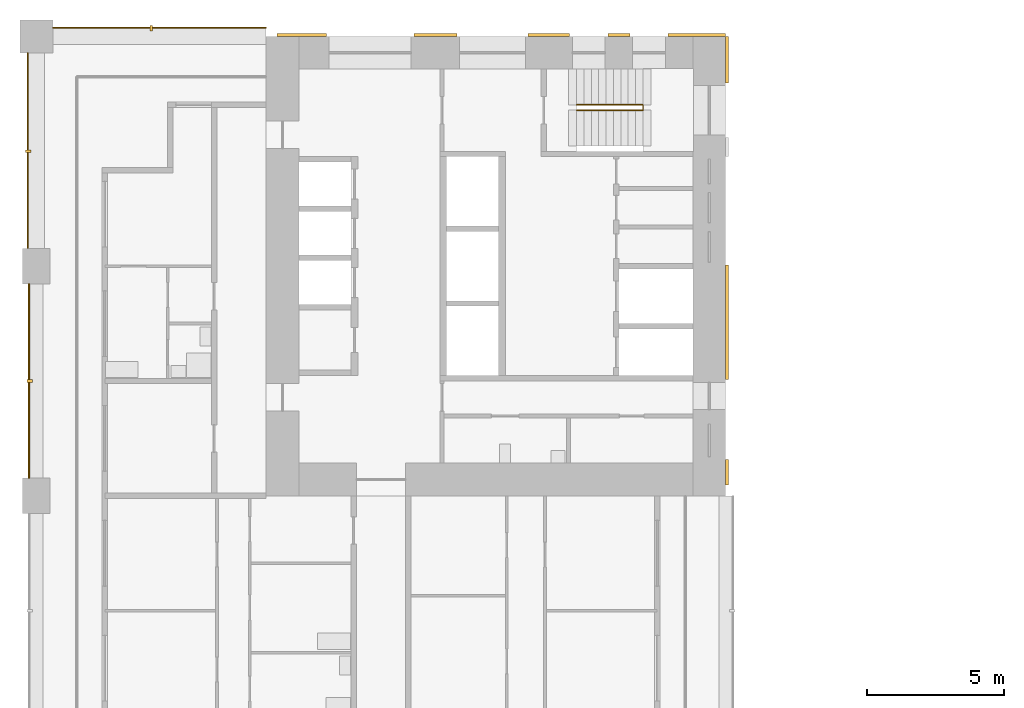
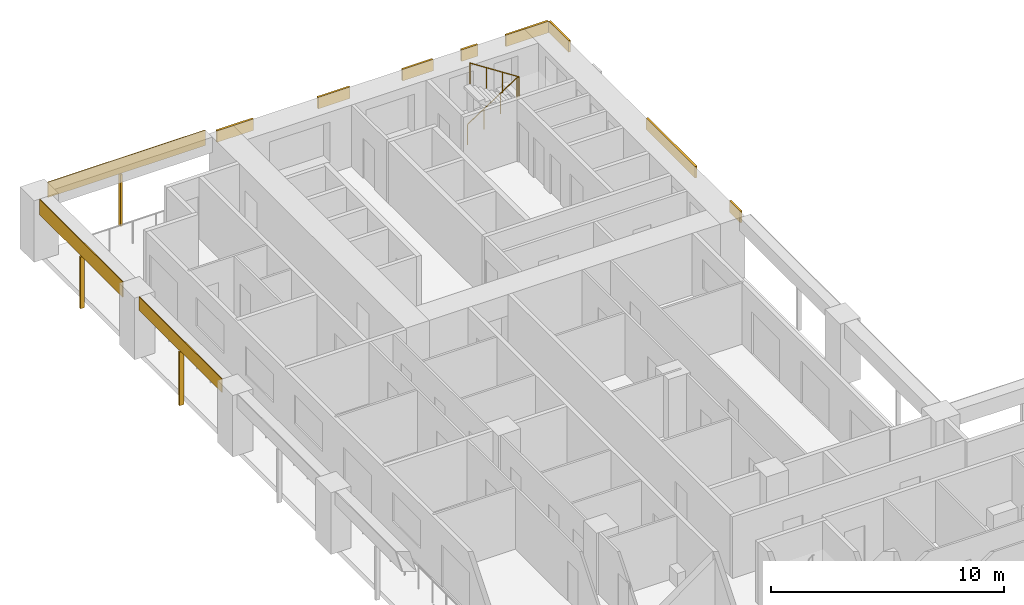
# One storey, part 14 of 17: 14 shading devices, 1 railing.
"""IFC4 building model written with IfcOpenShell, lengths in metres."""

import ifcopenshell
import ifcopenshell.guid

model = None  # the IFC model being written
_history = None  # IfcOwnerHistory: only IFC2X3 demands one
_inside = {}  # id of a spatial element -> (the spatial element, [elements in it])
_under = {}  # id of a project, library or spatial element -> (it, [spatial elements below it])
_declared = {}  # id of a project -> (the project, [libraries it declares])
_typed = {}  # id of a type object -> (the type object, [elements of that type])
_made_of = {}  # id of a material, layer set ... -> (it, [elements and type objects made of it])


def new_model(schema):
    """Start an empty IFC model of exactly this schema.

    Asked for "IFC4X3", IfcOpenShell would pick the latest addendum, in which some entities
    have other attributes; the version numbers below select the first issue.
    IFC2X3 requires an IfcOwnerHistory on every rooted entity: one is made here for all.
    """
    global model, _history
    if schema == "IFC4X3":
        model = ifcopenshell.file(schema_version=(4, 3, 0, 0))
    else:
        model = ifcopenshell.file(schema=schema)
    _inside.clear()
    _under.clear()
    _declared.clear()
    _typed.clear()
    _made_of.clear()
    _history = None
    if model.schema == "IFC2X3":
        org = make("IfcOrganization", Name="unknown")
        user = make(
            "IfcPersonAndOrganization",
            ThePerson=make("IfcPerson", FamilyName="unknown"),
            TheOrganization=org,
        )
        app = make(
            "IfcApplication",
            ApplicationDeveloper=org,
            Version="unknown",
            ApplicationFullName="unknown",
            ApplicationIdentifier="unknown",
        )
        _history = make(
            "IfcOwnerHistory",
            OwningUser=user,
            OwningApplication=app,
            ChangeAction="ADDED",
            CreationDate=0,
        )
    return model


def make(cls, **values):
    """One entity of the class cls with the attributes given. An attribute that is None is left unset."""
    return model.create_entity(
        cls, **{name: value for name, value in values.items() if value is not None}
    )


def rooted(cls, **values):
    """An entity with a GlobalId (a new one), such as an element, a storey or a relation."""
    return make(cls, GlobalId=ifcopenshell.guid.new(), OwnerHistory=_history, **values)


def si_unit(unit_type, name, prefix=None):
    """IfcSIUnit, for example si_unit("LENGTHUNIT", "METRE", prefix="MILLI")."""
    return make("IfcSIUnit", UnitType=unit_type, Prefix=prefix, Name=name)


def assignment(units):
    """IfcUnitAssignment: the units of a project."""
    return None if units is None else make("IfcUnitAssignment", Units=units)


def point(xyz):
    """IfcCartesianPoint."""
    return None if xyz is None else make("IfcCartesianPoint", Coordinates=xyz)


def direction(xyz):
    """IfcDirection."""
    return None if xyz is None else make("IfcDirection", DirectionRatios=xyz)


def frame(location, z_axis=None, x_axis=None):
    """IfcAxis2Placement3D, a coordinate frame: its origin and axes. An axis left out is left unset."""
    return make(
        "IfcAxis2Placement3D",
        Location=point(location),
        Axis=direction(z_axis),
        RefDirection=direction(x_axis),
    )


def frame_2d(location, x_axis=None):
    """IfcAxis2Placement2D, a coordinate frame in the plane: its origin and x axis."""
    return make(
        "IfcAxis2Placement2D", Location=point(location), RefDirection=direction(x_axis)
    )


def origin():
    """The frame at (0, 0, 0) with its axes left unset."""
    return frame((0.0, 0.0, 0.0))


def origin_2d():
    """The frame at (0, 0) in the plane with its x axis left unset."""
    return frame_2d((0.0, 0.0))


def place(relative_to, where):
    """IfcLocalPlacement: puts the frame where relative to a parent placement (None: the world)."""
    return make(
        "IfcLocalPlacement", PlacementRelTo=relative_to, RelativePlacement=where
    )


def context(
    kind, dimensions, precision=None, world=None, true_north=None, identifier=None
):
    """IfcGeometricRepresentationContext, for example the 3D "Model" context."""
    return make(
        "IfcGeometricRepresentationContext",
        ContextIdentifier=identifier,
        ContextType=kind,
        CoordinateSpaceDimension=dimensions,
        Precision=precision,
        WorldCoordinateSystem=world,
        TrueNorth=true_north,
    )


def subcontext(parent, identifier, kind, view, scale=None):
    """IfcGeometricRepresentationSubContext, for example "Body" below "Model"."""
    return make(
        "IfcGeometricRepresentationSubContext",
        ContextIdentifier=identifier,
        ContextType=kind,
        ParentContext=parent,
        TargetScale=scale,
        TargetView=view,
    )


def project(units=None, contexts=None):
    """IfcProject with its units and contexts."""
    return rooted(
        "IfcProject",
        Name="project",
        RepresentationContexts=contexts,
        UnitsInContext=assignment(units),
    )


def spatial(cls, under=None, at=None, **own):
    """A site, building, storey or space (cls), placed at a placement, below another one or the project."""
    s = rooted(cls, ObjectPlacement=at, **own)
    if under is not None:
        _under.setdefault(under.id(), (under, []))[1].append(s)
    return s


def profile(cls, at=None, kind="AREA", **sizes):
    """A parametric profile (cls). Its sizes go by their IFC names, for example OverallWidth=200.0."""
    return make(cls, ProfileType=kind, Position=at, **sizes)


def rectangle(**sizes):
    """IfcRectangleProfileDef."""
    return profile("IfcRectangleProfileDef", **sizes)


def circle(**sizes):
    """IfcCircleProfileDef."""
    return profile("IfcCircleProfileDef", **sizes)


def extrude(swept, where, along, depth):
    """IfcExtrudedAreaSolid: the profile swept, set in the frame where, extruded along a direction by depth."""
    return make(
        "IfcExtrudedAreaSolid",
        SweptArea=swept,
        Position=where,
        ExtrudedDirection=direction(along),
        Depth=depth,
    )


def shape(context_of_items, identifier, shape_type, items):
    """IfcShapeRepresentation: the items that make up one representation, for example the "Body"."""
    return make(
        "IfcShapeRepresentation",
        ContextOfItems=context_of_items,
        RepresentationIdentifier=identifier,
        RepresentationType=shape_type,
        Items=items,
    )


def material(Name=None, Category=None):
    """IfcMaterial."""
    return make("IfcMaterial", Name=Name, Category=Category)


def layer(
    of_material, thickness, ventilated=None, Name=None, Category=None, Priority=None
):
    """IfcMaterialLayer: one layer of a wall or slab, of a material (None: an air gap)."""
    return make(
        "IfcMaterialLayer",
        Material=of_material,
        LayerThickness=thickness,
        IsVentilated=ventilated,
        Name=Name,
        Category=Category,
        Priority=Priority,
    )


def layer_set(layers, Name=None):
    """IfcMaterialLayerSet."""
    return make("IfcMaterialLayerSet", MaterialLayers=layers, LayerSetName=Name)


def material_profile(
    of_material, cross_section, Name=None, Category=None, Priority=None
):
    """IfcMaterialProfile: a cross section and its material."""
    return make(
        "IfcMaterialProfile",
        Name=Name,
        Material=of_material,
        Profile=cross_section,
        Priority=Priority,
        Category=Category,
    )


def profile_set(profiles, Name=None, composite=None):
    """IfcMaterialProfileSet."""
    return make(
        "IfcMaterialProfileSet",
        Name=Name,
        MaterialProfiles=profiles,
        CompositeProfile=composite,
    )


def made_of(thing, what):
    """Note that an element or type object is made of a material, layer set ...; save() writes the relation."""
    if what is not None:
        _made_of.setdefault(what.id(), (what, []))[1].append(thing)
    return thing


def type_object(cls, material=None, **own):
    """A type object (cls), such as IfcWallType, which elements share."""
    return made_of(rooted(cls, **own), material)


def element(
    cls,
    number,
    at=None,
    inside=None,
    cuts=None,
    type_object=None,
    material=None,
    context=None,
    identifier="Body",
    shape_type=None,
    held_by="IfcProductDefinitionShape",
    body=None,
    shapes=None,
    **own,
):
    """One element of the class cls, such as IfcWall. Its Tag is "e" and its number.

    at: its placement. inside: the storey or other place that contains it. cuts: it is an
    opening in that element (IfcRelVoidsElement). A single representation is given by context,
    identifier, shape_type and body (its items); several are given by shapes. held_by: the class
    of the entity that holds the representations. save() writes the other relations.
    """
    e = rooted(cls, Tag="e%d" % number, ObjectPlacement=at, **own)
    if body is not None:
        shapes = [shape(context, identifier, shape_type, body)]
    if shapes is not None:
        e.Representation = make(held_by, Representations=shapes)
    if inside is not None:
        _inside.setdefault(inside.id(), (inside, []))[1].append(e)
    if cuts is not None:
        rooted(
            "IfcRelVoidsElement", RelatingBuildingElement=cuts, RelatedOpeningElement=e
        )
    if type_object is not None:
        _typed.setdefault(type_object.id(), (type_object, []))[1].append(e)
    return made_of(e, material)


def aggregate(whole, parts):
    """IfcRelAggregates: a whole, such as a stair, and the parts it consists of."""
    return rooted("IfcRelAggregates", RelatingObject=whole, RelatedObjects=parts)


def save(model, path):
    """Write the relations noted so far, then the file.

    IfcRelAggregates (storeys below a building ...), IfcRelContainedInSpatialStructure (elements
    in a storey), IfcRelDefinesByType, IfcRelAssociatesMaterial and IfcRelDeclares: one each for
    every whole, place, type object, material and project.
    """
    for whole, parts in _under.values():
        aggregate(whole, parts)
    for where, things in _inside.values():
        rooted(
            "IfcRelContainedInSpatialStructure",
            RelatedElements=things,
            RelatingStructure=where,
        )
    for kind, things in _typed.values():
        rooted("IfcRelDefinesByType", RelatedObjects=things, RelatingType=kind)
    for what, things in _made_of.values():
        rooted("IfcRelAssociatesMaterial", RelatedObjects=things, RelatingMaterial=what)
    for by, libraries in _declared.values():
        rooted("IfcRelDeclares", RelatingContext=by, RelatedDefinitions=libraries)
    model.write(path)


model = new_model("IFC4")

# Units and contexts
model_context = context("Model", 3, precision=1e-05, world=origin(), true_north=direction((0.0, 1.0)))
body_context = subcontext(model_context, "Body", "Model", "MODEL_VIEW")
ifc_project = project(units=[si_unit("LENGTHUNIT", "METRE"), si_unit("AREAUNIT", "SQUARE_METRE"), si_unit("VOLUMEUNIT", "CUBIC_METRE"), si_unit("PLANEANGLEUNIT", "RADIAN"), si_unit("MASSUNIT", "GRAM", prefix="KILO")], contexts=[model_context])

# Site, building, storey
site_placement = place(None, origin())
site = spatial("IfcSite", under=ifc_project, at=site_placement, CompositionType="ELEMENT")
building_placement = place(site_placement, origin())
building = spatial("IfcBuilding", under=site, at=building_placement, Name="Vermilion Gate Residences", CompositionType="ELEMENT")
storey_placement = place(building_placement, frame((0.0, 0.0, 112.699951171875)))
storey = spatial("IfcBuildingStorey", under=building, at=storey_placement, Name="L28", CompositionType="ELEMENT", Elevation=112.699951171875)

# Shading devices
ifc_material_1 = material(Name="Perforated terracotta", Category="masonry")
ifc_layer_1 = layer(ifc_material_1, 0.0400390625)
ifc_layer_set_1 = layer_set([ifc_layer_1], Name="PERFORATED TERRACOTTA SCREEN 40")
shading_device_type_1 = type_object("IfcShadingDeviceType", Name="PERFORATED TERRACOTTA SCREEN 40", PredefinedType="SHUTTER", material=ifc_layer_set_1)
shading_device_1_placement = place(storey_placement, frame((4.5, 59.1201171875, 2.419921875), z_axis=(0.0, 0.0, 1.0), x_axis=(-1.0, 0.0, 0.0)))
element("IfcShadingDevice", 1, at=shading_device_1_placement, inside=storey, type_object=shading_device_type_1, Name="SCREEN", PredefinedType="SHUTTER", context=body_context, shape_type="SweptSolid", body=[
    extrude(rectangle(XDim=7.800048828125, YDim=0.0400390625, at=origin_2d()), origin(), (0.0, 0.0, 1.0), 0.800048828125),
])
shading_device_2_placement = place(storey_placement, frame((-0.27001953125, 46.199951171875, 2.52001953125), z_axis=(0.0, 0.0, 1.0), x_axis=(0.0, -1.0, 0.0)))
element("IfcShadingDevice", 2, at=shading_device_2_placement, inside=storey, type_object=shading_device_type_1, Name="SCREEN", PredefinedType="SHUTTER", context=body_context, shape_type="SweptSolid", body=[
    extrude(rectangle(XDim=7.10009765625, YDim=0.0400390625, at=origin_2d()), origin(), (0.0, 0.0, 1.0), 0.699951171875),
])
shading_device_3_placement = place(storey_placement, frame((-0.320068359375, 54.625, 2.419921875), z_axis=(0.0, 0.0, 1.0), x_axis=(0.0, -1.0, 0.0)))
element("IfcShadingDevice", 3, at=shading_device_3_placement, inside=storey, type_object=shading_device_type_1, Name="SCREEN", PredefinedType="SHUTTER", context=body_context, shape_type="SweptSolid", body=[
    extrude(rectangle(XDim=7.14990234375, YDim=0.0400390625, at=origin_2d()), origin(), (0.0, 0.0, 1.0), 0.800048828125),
])

# Railing
ifc_material_2 = material(Name="Steel S355", Category="steel")
railing_type = type_object("IfcRailingType", Name="STAIR GUARD 1100 STEEL", PredefinedType="GUARDRAIL", material=ifc_material_2)
railing_placement = place(storey_placement, frame((19.75, 56.300048828125, 0.175048828125)))
element("IfcRailing", 4, at=railing_placement, inside=storey, type_object=railing_type, Name="Stair well guard STB1-28", PredefinedType="GUARDRAIL", context=body_context, shape_type="SweptSolid", body=[
    extrude(circle(Radius=0.02392578125, at=origin_2d()), frame((0.0, 0.0, 1.076171875), z_axis=(0.839153699163, 0.0, 0.543894354798), x_axis=(0.0, 1.0, 0.0)), (0.0, 0.0, 1.0), 2.895751953125),
    extrude(circle(Radius=0.02392578125, at=origin_2d()), frame((2.429931640625, 0.0, 2.65087890625), z_axis=(0.0, -0.752405939678, 0.658699705433), x_axis=(1.0, 0.0, 0.0)), (0.0, 0.0, 1.0), 0.265869140625),
    extrude(circle(Radius=0.02392578125, at=origin_2d()), frame((2.429931640625, -0.199951171875, 2.826171875), z_axis=(-0.839153699163, 0.0, 0.543894354798), x_axis=(0.0, -1.0, 0.0)), (0.0, 0.0, 1.0), 2.895751953125),
    extrude(circle(Radius=0.02099609375, at=origin_2d()), origin(), (0.0, 0.0, 1.0), 1.052001953125),
    extrude(circle(Radius=0.02099609375, at=origin_2d()), frame((0.81005859375, 0.0, 0.52490234375)), (0.0, 0.0, 1.0), 1.052001953125),
    extrude(circle(Radius=0.02099609375, at=origin_2d()), frame((1.619873046875, 0.0, 1.050048828125)), (0.0, 0.0, 1.0), 1.052001953125),
    extrude(circle(Radius=0.02099609375, at=origin_2d()), frame((2.429931640625, 0.0, 1.574951171875)), (0.0, 0.0, 1.0), 1.052001953125),
    extrude(circle(Radius=0.02099609375, at=origin_2d()), frame((2.429931640625, -0.199951171875, 1.75)), (0.0, 0.0, 1.0), 1.052001953125),
    extrude(circle(Radius=0.02099609375, at=origin_2d()), frame((1.619873046875, -0.199951171875, 2.27490234375)), (0.0, 0.0, 1.0), 1.052001953125),
    extrude(circle(Radius=0.02099609375, at=origin_2d()), frame((0.81005859375, -0.199951171875, 2.800048828125)), (0.0, 0.0, 1.0), 1.052001953125),
    extrude(circle(Radius=0.02099609375, at=origin_2d()), frame((0.0, -0.199951171875, 3.324951171875)), (0.0, 0.0, 1.0), 1.052001953125),
])

# Shading devices
ifc_material_3 = material(Name="Extruded terracotta", Category="masonry")
ifc_material_profile = material_profile(ifc_material_3, rectangle(XDim=0.199951171875, YDim=0.10009765625, at=origin_2d()), Name="BAGUETTE 100 X 200")
ifc_profile_set = profile_set([ifc_material_profile], Name="Extruded terracotta")
shading_device_type_2 = type_object("IfcShadingDeviceType", Name="TERRACOTTA BAGUETTE 100 X 200", PredefinedType="JALOUSIE", material=ifc_profile_set)
shading_device_4_placement = place(storey_placement, frame((4.199951171875, 59.10009765625, -0.280029296875), z_axis=(0.0, 0.0, 1.0), x_axis=(0.0, -1.0, 0.0)))
element("IfcShadingDevice", 5, at=shading_device_4_placement, inside=storey, type_object=shading_device_type_2, Name="BAGUETTE", PredefinedType="JALOUSIE", context=body_context, shape_type="SweptSolid", body=[
    extrude(rectangle(XDim=0.199951171875, YDim=0.10009765625, at=origin_2d()), origin(), (0.0, 0.0, 1.0), 2.7001953125),
])
shading_device_5_placement = place(storey_placement, frame((-0.25, 46.199951171875, -0.280029296875), z_axis=(0.0, 0.0, 1.0), x_axis=(1.0, 0.0, 0.0)))
element("IfcShadingDevice", 6, at=shading_device_5_placement, inside=storey, type_object=shading_device_type_2, Name="BAGUETTE", PredefinedType="JALOUSIE", context=body_context, shape_type="SweptSolid", body=[
    extrude(rectangle(XDim=0.199951171875, YDim=0.10009765625, at=origin_2d()), origin(), (0.0, 0.0, 1.0), 2.800048828125),
])
shading_device_6_placement = place(storey_placement, frame((-0.300048828125, 54.60009765625, -0.280029296875), z_axis=(0.0, 0.0, 1.0), x_axis=(1.0, 0.0, 0.0)))
element("IfcShadingDevice", 7, at=shading_device_6_placement, inside=storey, type_object=shading_device_type_2, Name="BAGUETTE", PredefinedType="JALOUSIE", context=body_context, shape_type="SweptSolid", body=[
    extrude(rectangle(XDim=0.199951171875, YDim=0.10009765625, at=origin_2d()), origin(), (0.0, 0.0, 1.0), 2.7001953125),
])
ifc_material_4 = material(Name="Extruded terracotta", Category="masonry")
ifc_layer_2 = layer(ifc_material_4, 0.10009765625)
ifc_layer_set_2 = layer_set([ifc_layer_2], Name="TERRACOTTA SPANDREL BAND 600 X 100")
shading_device_type_3 = type_object("IfcShadingDeviceType", Name="TERRACOTTA SPANDREL BAND 600 X 100", PredefinedType="USERDEFINED", material=ifc_layer_set_2)
shading_device_7_placement = place(storey_placement, frame((9.702392578125, 58.85009765625, 2.6201171875), z_axis=(0.0, 0.0, 1.0), x_axis=(1.0, 0.0, 0.0)))
element("IfcShadingDevice", 8, at=shading_device_7_placement, inside=storey, type_object=shading_device_type_3, Name="SPANDREL BAND", ObjectType="BAND", PredefinedType="USERDEFINED", context=body_context, shape_type="SweptSolid", body=[
    extrude(rectangle(XDim=1.804931640625, YDim=0.10009765625, at=origin_2d()), origin(), (0.0, 0.0, 1.0), 0.60009765625),
])
shading_device_8_placement = place(storey_placement, frame((14.590087890625, 58.85009765625, 2.6201171875), z_axis=(0.0, 0.0, 1.0), x_axis=(1.0, 0.0, 0.0)))
element("IfcShadingDevice", 9, at=shading_device_8_placement, inside=storey, type_object=shading_device_type_3, Name="SPANDREL BAND", ObjectType="BAND", PredefinedType="USERDEFINED", context=body_context, shape_type="SweptSolid", body=[
    extrude(rectangle(XDim=1.570068359375, YDim=0.10009765625, at=origin_2d()), origin(), (0.0, 0.0, 1.0), 0.60009765625),
])
shading_device_9_placement = place(storey_placement, frame((18.734130859375, 58.85009765625, 2.6201171875), z_axis=(0.0, 0.0, 1.0), x_axis=(1.0, 0.0, 0.0)))
element("IfcShadingDevice", 10, at=shading_device_9_placement, inside=storey, type_object=shading_device_type_3, Name="SPANDREL BAND", ObjectType="BAND", PredefinedType="USERDEFINED", context=body_context, shape_type="SweptSolid", body=[
    extrude(rectangle(XDim=1.518310546875, YDim=0.10009765625, at=origin_2d()), origin(), (0.0, 0.0, 1.0), 0.60009765625),
])
shading_device_10_placement = place(storey_placement, frame((21.294921875, 58.85009765625, 2.6201171875), z_axis=(0.0, 0.0, 1.0), x_axis=(1.0, 0.0, 0.0)))
element("IfcShadingDevice", 11, at=shading_device_10_placement, inside=storey, type_object=shading_device_type_3, Name="SPANDREL BAND", ObjectType="BAND", PredefinedType="USERDEFINED", context=body_context, shape_type="SweptSolid", body=[
    extrude(rectangle(XDim=0.803466796875, YDim=0.10009765625, at=origin_2d()), origin(), (0.0, 0.0, 1.0), 0.60009765625),
])
shading_device_11_placement = place(storey_placement, frame((24.1484375, 58.85009765625, 2.6201171875), z_axis=(0.0, 0.0, 1.0), x_axis=(1.0, 0.0, 0.0)))
element("IfcShadingDevice", 12, at=shading_device_11_placement, inside=storey, type_object=shading_device_type_3, Name="SPANDREL BAND", ObjectType="BAND", PredefinedType="USERDEFINED", context=body_context, shape_type="SweptSolid", body=[
    extrude(rectangle(XDim=2.103271484375, YDim=0.10009765625, at=origin_2d()), origin(), (0.0, 0.0, 1.0), 0.60009765625),
])
shading_device_12_placement = place(storey_placement, frame((25.25, 42.862548828125, 2.6201171875), z_axis=(0.0, 0.0, 1.0), x_axis=(0.0, 1.0, 0.0)))
element("IfcShadingDevice", 13, at=shading_device_12_placement, inside=storey, type_object=shading_device_type_3, Name="SPANDREL BAND", ObjectType="BAND", PredefinedType="USERDEFINED", context=body_context, shape_type="SweptSolid", body=[
    extrude(rectangle(XDim=0.925048828125, YDim=0.10009765625, at=origin_2d()), origin(), (0.0, 0.0, 1.0), 0.60009765625),
])
shading_device_13_placement = place(storey_placement, frame((25.25, 48.35009765625, 2.6201171875), z_axis=(0.0, 0.0, 1.0), x_axis=(0.0, 1.0, 0.0)))
element("IfcShadingDevice", 14, at=shading_device_13_placement, inside=storey, type_object=shading_device_type_3, Name="SPANDREL BAND", ObjectType="BAND", PredefinedType="USERDEFINED", context=body_context, shape_type="SweptSolid", body=[
    extrude(rectangle(XDim=4.199951171875, YDim=0.10009765625, at=origin_2d()), origin(), (0.0, 0.0, 1.0), 0.60009765625),
])
shading_device_14_placement = place(storey_placement, frame((25.25, 57.949951171875, 2.6201171875), z_axis=(0.0, 0.0, 1.0), x_axis=(0.0, 1.0, 0.0)))
element("IfcShadingDevice", 15, at=shading_device_14_placement, inside=storey, type_object=shading_device_type_3, Name="SPANDREL BAND", ObjectType="BAND", PredefinedType="USERDEFINED", context=body_context, shape_type="SweptSolid", body=[
    extrude(rectangle(XDim=1.699951171875, YDim=0.10009765625, at=origin_2d()), origin(), (0.0, 0.0, 1.0), 0.60009765625),
])

save(model, "model.ifc")
